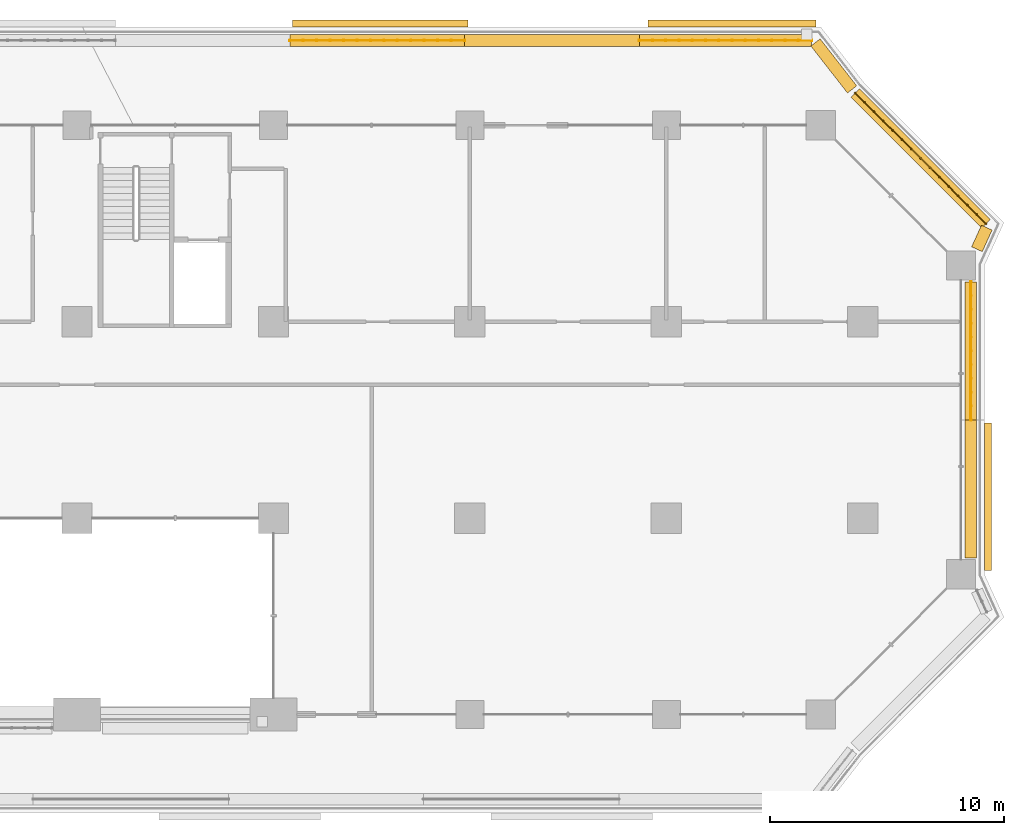
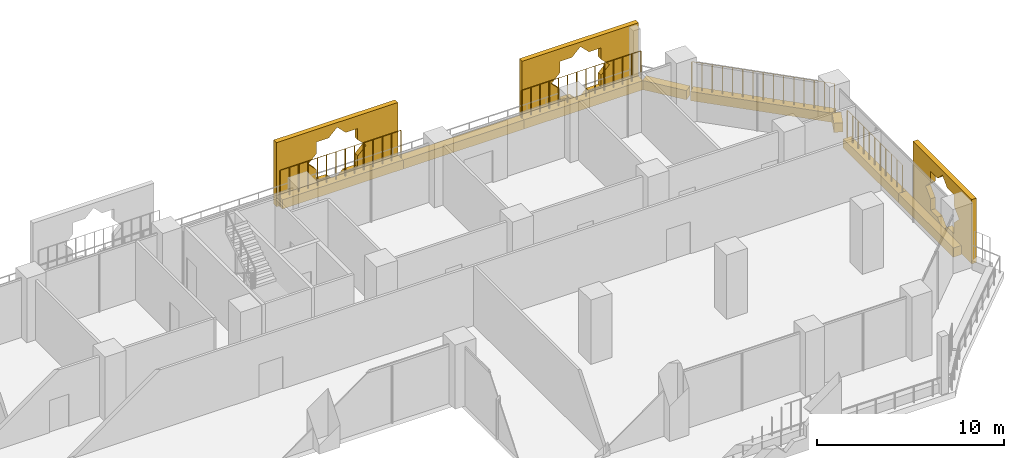
# One storey, part 27 of 27: 11 coverings, 4 railings.
"""IFC4 building model written with IfcOpenShell, lengths in metres."""

from ifc_helpers import new_model, si_unit, direction, frame, origin, origin_2d, place, context, subcontext, project, spatial, polyline, rectangle, circle, outline, extrude, material, material_profile, profile_set, type_object, element, save


model = new_model("IFC4")

# Units and contexts
model_context = context("Model", 3, precision=1e-05, world=origin(), true_north=direction((0.0, 1.0)))
body_context = subcontext(model_context, "Body", "Model", "MODEL_VIEW")
ifc_project = project(units=[si_unit("LENGTHUNIT", "METRE"), si_unit("AREAUNIT", "SQUARE_METRE"), si_unit("VOLUMEUNIT", "CUBIC_METRE"), si_unit("PLANEANGLEUNIT", "RADIAN"), si_unit("MASSUNIT", "GRAM", prefix="KILO")], contexts=[model_context])

# Site, building, storey
site_placement = place(None, origin())
site = spatial("IfcSite", under=ifc_project, at=site_placement, CompositionType="ELEMENT")
building_placement = place(site_placement, origin())
building = spatial("IfcBuilding", under=site, at=building_placement, Name="Kawkab Arch Medical Tower", CompositionType="ELEMENT")
storey_placement = place(building_placement, frame((0.0, 0.0, 43.39990234375)))
storey = spatial("IfcBuildingStorey", under=building, at=storey_placement, Name="L09", CompositionType="ELEMENT", Elevation=43.39990234375)

# Coverings
ifc_material_1 = material(Name="Bronze anodised aluminium mashrabiya panel, eight-point star pattern", Category="aluminium")
ifc_material_profile_1 = material_profile(ifc_material_1, outline(polyline([(-3.14990234375, -2.10009765625), (3.14990234375, -2.10009765625), (3.14990234375, 2.10009765625), (-3.14990234375, 2.10009765625), (-3.14990234375, -2.10009765625)]), holes=[polyline([(1.800048828125, 0.0), (1.272705078125, 0.527099609375), (1.272705078125, 1.272705078125), (0.527099609375, 1.272705078125), (0.0, 1.800048828125), (-0.527099609375, 1.272705078125), (-1.272705078125, 1.272705078125), (-1.272705078125, 0.527099609375), (-1.800048828125, 0.0), (-1.272705078125, -0.527099609375), (-1.272705078125, -1.272705078125), (-0.527099609375, -1.272705078125), (0.0, -1.800048828125), (0.527099609375, -1.272705078125), (1.272705078125, -1.272705078125), (1.272705078125, -0.527099609375), (1.800048828125, 0.0)])]), Name="Mashrabiya panel 6300x4200")
ifc_profile_set_1 = profile_set([ifc_material_profile_1], Name="Bronze anodised aluminium mashrabiya panel, eight-point star pattern")
covering_type_1 = type_object("IfcCoveringType", Name="Mashrabiya panel 6300 x 4200", PredefinedType="USERDEFINED", material=ifc_profile_set_1)
covering_1_placement = place(storey_placement, frame((80.800048828125, -15.881103515625, 1.7001953125), z_axis=(1.0, 0.0, 0.0), x_axis=(0.0, 1.0, 0.0)))
element("IfcCovering", 1, at=covering_1_placement, inside=storey, type_object=covering_type_1, Name="Mashrabiya panel L09.LOG-01-02.11", ObjectType="SCREEN", PredefinedType="USERDEFINED", context=body_context, shape_type="SweptSolid", body=[
    extrude(outline(polyline([(-3.14990234375, -2.10009765625), (3.14990234375, -2.10009765625), (3.14990234375, 2.10009765625), (-3.14990234375, 2.10009765625), (-3.14990234375, -2.10009765625)]), holes=[polyline([(1.800048828125, 0.0), (1.272705078125, 0.527099609375), (1.272705078125, 1.272705078125), (0.527099609375, 1.272705078125), (0.0, 1.800048828125), (-0.527099609375, 1.272705078125), (-1.272705078125, 1.272705078125), (-1.272705078125, 0.527099609375), (-1.800048828125, 0.0), (-1.272705078125, -0.527099609375), (-1.272705078125, -1.272705078125), (-0.527099609375, -1.272705078125), (0.0, -1.800048828125), (0.527099609375, -1.272705078125), (1.272705078125, -1.272705078125), (1.272705078125, -0.527099609375), (1.800048828125, 0.0)])]), origin(), (0.0, 0.0, 1.0), 0.300048828125),
])
ifc_material_2 = material(Name="Bronze anodised aluminium mashrabiya panel, eight-point star pattern", Category="aluminium")
ifc_material_profile_2 = material_profile(ifc_material_2, outline(polyline([(-3.60009765625, -2.10009765625), (3.60009765625, -2.10009765625), (3.60009765625, 2.10009765625), (-3.60009765625, 2.10009765625), (-3.60009765625, -2.10009765625)]), holes=[polyline([(1.800048828125, 0.0), (1.272705078125, 0.527099609375), (1.272705078125, 1.272705078125), (0.527099609375, 1.272705078125), (0.0, 1.800048828125), (-0.527099609375, 1.272705078125), (-1.272705078125, 1.272705078125), (-1.272705078125, 0.527099609375), (-1.800048828125, 0.0), (-1.272705078125, -0.527099609375), (-1.272705078125, -1.272705078125), (-0.527099609375, -1.272705078125), (0.0, -1.800048828125), (0.527099609375, -1.272705078125), (1.272705078125, -1.272705078125), (1.272705078125, -0.527099609375), (1.800048828125, 0.0)])]), Name="Mashrabiya panel 7200x4200")
ifc_profile_set_2 = profile_set([ifc_material_profile_2], Name="Bronze anodised aluminium mashrabiya panel, eight-point star pattern")
covering_type_2 = type_object("IfcCoveringType", Name="Mashrabiya panel 7200 x 4200", PredefinedType="USERDEFINED", material=ifc_profile_set_2)
covering_2_placement = place(storey_placement, frame((70.009033203125, 4.199951171875, 1.7001953125), z_axis=(0.0, 1.0, 0.0), x_axis=(-1.0, 0.0, 0.0)))
element("IfcCovering", 2, at=covering_2_placement, inside=storey, type_object=covering_type_2, Name="Mashrabiya panel L09.LOG-01-02.10", ObjectType="SCREEN", PredefinedType="USERDEFINED", context=body_context, shape_type="SweptSolid", body=[
    extrude(outline(polyline([(-3.60009765625, -2.10009765625), (3.60009765625, -2.10009765625), (3.60009765625, 2.10009765625), (-3.60009765625, 2.10009765625), (-3.60009765625, -2.10009765625)]), holes=[polyline([(1.800048828125, 0.0), (1.272705078125, 0.527099609375), (1.272705078125, 1.272705078125), (0.527099609375, 1.272705078125), (0.0, 1.800048828125), (-0.527099609375, 1.272705078125), (-1.272705078125, 1.272705078125), (-1.272705078125, 0.527099609375), (-1.800048828125, 0.0), (-1.272705078125, -0.527099609375), (-1.272705078125, -1.272705078125), (-0.527099609375, -1.272705078125), (0.0, -1.800048828125), (0.527099609375, -1.272705078125), (1.272705078125, -1.272705078125), (1.272705078125, -0.527099609375), (1.800048828125, 0.0)])]), origin(), (0.0, 0.0, 1.0), 0.300048828125),
])
ifc_material_3 = material(Name="Bronze anodised aluminium mashrabiya panel, eight-point star pattern", Category="aluminium")
ifc_material_profile_3 = material_profile(ifc_material_3, outline(polyline([(-3.75, -2.10009765625), (3.75, -2.10009765625), (3.75, 2.10009765625), (-3.75, 2.10009765625), (-3.75, -2.10009765625)]), holes=[polyline([(1.800048828125, 0.0), (1.272705078125, 0.527099609375), (1.272705078125, 1.272705078125), (0.527099609375, 1.272705078125), (0.0, 1.800048828125), (-0.527099609375, 1.272705078125), (-1.272705078125, 1.272705078125), (-1.272705078125, 0.527099609375), (-1.800048828125, 0.0), (-1.272705078125, -0.527099609375), (-1.272705078125, -1.272705078125), (-0.527099609375, -1.272705078125), (0.0, -1.800048828125), (0.527099609375, -1.272705078125), (1.272705078125, -1.272705078125), (1.272705078125, -0.527099609375), (1.800048828125, 0.0)])]), Name="Mashrabiya panel 7500x4200")
ifc_profile_set_3 = profile_set([ifc_material_profile_3], Name="Bronze anodised aluminium mashrabiya panel, eight-point star pattern")
covering_type_3 = type_object("IfcCoveringType", Name="Mashrabiya panel 7500 x 4200", PredefinedType="USERDEFINED", material=ifc_profile_set_3)
covering_3_placement = place(storey_placement, frame((54.964599609375, 4.199951171875, 1.7001953125), z_axis=(0.0, 1.0, 0.0), x_axis=(-1.0, 0.0, 0.0)))
element("IfcCovering", 3, at=covering_3_placement, inside=storey, type_object=covering_type_3, Name="Mashrabiya panel L09.LOG-01-02.9", ObjectType="SCREEN", PredefinedType="USERDEFINED", context=body_context, shape_type="SweptSolid", body=[
    extrude(outline(polyline([(-3.75, -2.10009765625), (3.75, -2.10009765625), (3.75, 2.10009765625), (-3.75, 2.10009765625), (-3.75, -2.10009765625)]), holes=[polyline([(1.800048828125, 0.0), (1.272705078125, 0.527099609375), (1.272705078125, 1.272705078125), (0.527099609375, 1.272705078125), (0.0, 1.800048828125), (-0.527099609375, 1.272705078125), (-1.272705078125, 1.272705078125), (-1.272705078125, 0.527099609375), (-1.800048828125, 0.0), (-1.272705078125, -0.527099609375), (-1.272705078125, -1.272705078125), (-0.527099609375, -1.272705078125), (0.0, -1.800048828125), (0.527099609375, -1.272705078125), (1.272705078125, -1.272705078125), (1.272705078125, -0.527099609375), (1.800048828125, 0.0)])]), origin(), (0.0, 0.0, 1.0), 0.300048828125),
])
ifc_material_4 = material(Name="Planting soil in a precast trough", Category="concrete")
ifc_material_profile_4 = material_profile(ifc_material_4, rectangle(XDim=0.5, YDim=0.60009765625, at=origin_2d()), Name="Trough 500x600")
ifc_profile_set_4 = profile_set([ifc_material_profile_4], Name="Planting soil in a precast trough")
covering_type_4 = type_object("IfcCoveringType", Name="Planter trough 500 x 600", PredefinedType="USERDEFINED", material=ifc_profile_set_4)
covering_4_placement = place(storey_placement, frame((51.10498046875, 3.6201171875, 0.300048828125), z_axis=(1.0, 0.0, 0.0), x_axis=(0.0, 1.0, 0.0)))
element("IfcCovering", 4, at=covering_4_placement, inside=storey, type_object=covering_type_4, Name="Planter L09.LOG-01-02.31", ObjectType="PLANTER", PredefinedType="USERDEFINED", context=body_context, shape_type="SweptSolid", body=[
    extrude(rectangle(XDim=0.5, YDim=0.60009765625, at=origin_2d()), origin(), (0.0, 0.0, 1.0), 7.470947265625),
])
covering_5_placement = place(storey_placement, frame((58.575927734375, 3.6201171875, 0.300048828125), z_axis=(1.0, 0.0, 0.0), x_axis=(0.0, 1.0, 0.0)))
element("IfcCovering", 5, at=covering_5_placement, inside=storey, type_object=covering_type_4, Name="Planter L09.LOG-01-02.32", ObjectType="PLANTER", PredefinedType="USERDEFINED", context=body_context, shape_type="SweptSolid", body=[
    extrude(rectangle(XDim=0.5, YDim=0.60009765625, at=origin_2d()), origin(), (0.0, 0.0, 1.0), 7.469970703125),
])
covering_6_placement = place(storey_placement, frame((66.0458984375, 3.6201171875, 0.300048828125), z_axis=(1.0, 0.0, 0.0), x_axis=(0.0, 1.0, 0.0)))
element("IfcCovering", 6, at=covering_6_placement, inside=storey, type_object=covering_type_4, Name="Planter L09.LOG-01-02.33", ObjectType="PLANTER", PredefinedType="USERDEFINED", context=body_context, shape_type="SweptSolid", body=[
    extrude(rectangle(XDim=0.5, YDim=0.60009765625, at=origin_2d()), origin(), (0.0, 0.0, 1.0), 7.3701171875),
])
covering_7_placement = place(storey_placement, frame((73.577880859375, 3.541015625, 0.300048828125), z_axis=(0.614099956103, -0.789228258436, 0.0), x_axis=(0.789228258436, 0.614099956103, 0.0)))
element("IfcCovering", 7, at=covering_7_placement, inside=storey, type_object=covering_type_4, Name="Planter L09.LOG-01-02.34", ObjectType="PLANTER", PredefinedType="USERDEFINED", context=body_context, shape_type="SweptSolid", body=[
    extrude(rectangle(XDim=0.5, YDim=0.60009765625, at=origin_2d()), origin(), (0.0, 0.0, 1.0), 2.545654296875),
])
covering_8_placement = place(storey_placement, frame((75.27294921875, 1.383056640625, 0.300048828125), z_axis=(0.707106781187, -0.707106781187, 0.0), x_axis=(0.707106781187, 0.707106781187, 0.0)))
element("IfcCovering", 8, at=covering_8_placement, inside=storey, type_object=covering_type_4, Name="Planter L09.LOG-01-02.35", ObjectType="PLANTER", PredefinedType="USERDEFINED", context=body_context, shape_type="SweptSolid", body=[
    extrude(rectangle(XDim=0.5, YDim=0.60009765625, at=origin_2d()), origin(), (0.0, 0.0, 1.0), 7.919677734375),
])
covering_9_placement = place(storey_placement, frame((80.902099609375, -4.37890625, 0.300048828125), z_axis=(-0.415071571878, -0.909788761317, 0.0), x_axis=(0.909788761317, -0.415071571878, 0.0)))
element("IfcCovering", 9, at=covering_9_placement, inside=storey, type_object=covering_type_4, Name="Planter L09.LOG-01-02.36", ObjectType="PLANTER", PredefinedType="USERDEFINED", context=body_context, shape_type="SweptSolid", body=[
    extrude(rectangle(XDim=0.5, YDim=0.60009765625, at=origin_2d()), origin(), (0.0, 0.0, 1.0), 1.0146484375),
])
for number, where, z_axis, x_axis, name in (
    (10, (80.219970703125, -6.705078125, 0.300048828125), (0.0, -1.0, 0.0), (1.0, 0.0, 0.0), "Planter L09.LOG-01-02.37"),
    (11, (80.219970703125, -12.60009765625, 0.300048828125), (0.0, -1.0, 0.0), (1.0, 0.0, 0.0), "Planter L09.LOG-01-02.38"),
):
    element("IfcCovering", number, at=place(storey_placement, frame(where, z_axis=z_axis, x_axis=x_axis)), inside=storey, type_object=covering_type_4, Name=name, ObjectType="PLANTER", PredefinedType="USERDEFINED", context=body_context, shape_type="SweptSolid", body=[
        extrude(rectangle(XDim=0.5, YDim=0.60009765625, at=origin_2d()), origin(), (0.0, 0.0, 1.0), 5.89501953125),
    ])

# Railings
ifc_material_5 = material(Name="Bronze anodised aluminium trellis for climbing plants", Category="aluminium")
railing_type = type_object("IfcRailingType", Name="Planting trellis 2400", PredefinedType="USERDEFINED", material=ifc_material_5)
railing_1_placement = place(storey_placement, frame((51.10498046875, 3.6201171875, 0.0)))
element("IfcRailing", 12, at=railing_1_placement, inside=storey, type_object=railing_type, Name="Planting trellis L09.LOG-01-02.31", ObjectType="TRELLIS", PredefinedType="USERDEFINED", context=body_context, shape_type="SweptSolid", body=[
    extrude(circle(Radius=0.01513671875, at=origin_2d()), frame((0.0, 0.0, 2.384765625), z_axis=(1.0, 0.0, 0.0), x_axis=(0.0, 1.0, 0.0)), (0.0, 0.0, 1.0), 7.470947265625),
    extrude(circle(Radius=0.030029296875, at=origin_2d()), origin(), (0.0, 0.0, 1.0), 2.369873046875),
    extrude(circle(Radius=0.030029296875, at=origin_2d()), frame((0.57470703125, 0.0, 0.0)), (0.0, 0.0, 1.0), 2.369873046875),
    extrude(circle(Radius=0.030029296875, at=origin_2d()), frame((1.1494140625, 0.0, 0.0)), (0.0, 0.0, 1.0), 2.369873046875),
    extrude(circle(Radius=0.030029296875, at=origin_2d()), frame((1.72412109375, 0.0, 0.0)), (0.0, 0.0, 1.0), 2.369873046875),
    extrude(circle(Radius=0.030029296875, at=origin_2d()), frame((2.298828125, 0.0, 0.0)), (0.0, 0.0, 1.0), 2.369873046875),
    extrude(circle(Radius=0.030029296875, at=origin_2d()), frame((2.87353515625, 0.0, 0.0)), (0.0, 0.0, 1.0), 2.369873046875),
    extrude(circle(Radius=0.030029296875, at=origin_2d()), frame((3.4482421875, 0.0, 0.0)), (0.0, 0.0, 1.0), 2.369873046875),
    extrude(circle(Radius=0.030029296875, at=origin_2d()), frame((4.022705078125, 0.0, 0.0)), (0.0, 0.0, 1.0), 2.369873046875),
    extrude(circle(Radius=0.030029296875, at=origin_2d()), frame((4.597412109375, 0.0, 0.0)), (0.0, 0.0, 1.0), 2.369873046875),
    extrude(circle(Radius=0.030029296875, at=origin_2d()), frame((5.172119140625, 0.0, 0.0)), (0.0, 0.0, 1.0), 2.369873046875),
    extrude(circle(Radius=0.030029296875, at=origin_2d()), frame((5.746826171875, 0.0, 0.0)), (0.0, 0.0, 1.0), 2.369873046875),
    extrude(circle(Radius=0.030029296875, at=origin_2d()), frame((6.321533203125, 0.0, 0.0)), (0.0, 0.0, 1.0), 2.369873046875),
    extrude(circle(Radius=0.030029296875, at=origin_2d()), frame((6.896240234375, 0.0, 0.0)), (0.0, 0.0, 1.0), 2.369873046875),
    extrude(circle(Radius=0.030029296875, at=origin_2d()), frame((7.470947265625, 0.0, 0.0)), (0.0, 0.0, 1.0), 2.369873046875),
])
railing_2_placement = place(storey_placement, frame((66.0458984375, 3.6201171875, 0.0)))
element("IfcRailing", 13, at=railing_2_placement, inside=storey, type_object=railing_type, Name="Planting trellis L09.LOG-01-02.33", ObjectType="TRELLIS", PredefinedType="USERDEFINED", context=body_context, shape_type="SweptSolid", body=[
    extrude(circle(Radius=0.01513671875, at=origin_2d()), frame((0.0, 0.0, 2.384765625), z_axis=(1.0, 0.0, 0.0), x_axis=(0.0, 1.0, 0.0)), (0.0, 0.0, 1.0), 7.3701171875),
    extrude(circle(Radius=0.030029296875, at=origin_2d()), origin(), (0.0, 0.0, 1.0), 2.369873046875),
    extrude(circle(Radius=0.030029296875, at=origin_2d()), frame((0.56689453125, 0.0, 0.0)), (0.0, 0.0, 1.0), 2.369873046875),
    extrude(circle(Radius=0.030029296875, at=origin_2d()), frame((1.1337890625, 0.0, 0.0)), (0.0, 0.0, 1.0), 2.369873046875),
    extrude(circle(Radius=0.030029296875, at=origin_2d()), frame((1.70068359375, 0.0, 0.0)), (0.0, 0.0, 1.0), 2.369873046875),
    extrude(circle(Radius=0.030029296875, at=origin_2d()), frame((2.267822265625, 0.0, 0.0)), (0.0, 0.0, 1.0), 2.369873046875),
    extrude(circle(Radius=0.030029296875, at=origin_2d()), frame((2.834716796875, 0.0, 0.0)), (0.0, 0.0, 1.0), 2.369873046875),
    extrude(circle(Radius=0.030029296875, at=origin_2d()), frame((3.401611328125, 0.0, 0.0)), (0.0, 0.0, 1.0), 2.369873046875),
    extrude(circle(Radius=0.030029296875, at=origin_2d()), frame((3.968505859375, 0.0, 0.0)), (0.0, 0.0, 1.0), 2.369873046875),
    extrude(circle(Radius=0.030029296875, at=origin_2d()), frame((4.535400390625, 0.0, 0.0)), (0.0, 0.0, 1.0), 2.369873046875),
    extrude(circle(Radius=0.030029296875, at=origin_2d()), frame((5.102294921875, 0.0, 0.0)), (0.0, 0.0, 1.0), 2.369873046875),
    extrude(circle(Radius=0.030029296875, at=origin_2d()), frame((5.66943359375, 0.0, 0.0)), (0.0, 0.0, 1.0), 2.369873046875),
    extrude(circle(Radius=0.030029296875, at=origin_2d()), frame((6.236328125, 0.0, 0.0)), (0.0, 0.0, 1.0), 2.369873046875),
    extrude(circle(Radius=0.030029296875, at=origin_2d()), frame((6.80322265625, 0.0, 0.0)), (0.0, 0.0, 1.0), 2.369873046875),
    extrude(circle(Radius=0.030029296875, at=origin_2d()), frame((7.3701171875, 0.0, 0.0)), (0.0, 0.0, 1.0), 2.369873046875),
])
railing_3_placement = place(storey_placement, frame((75.27294921875, 1.383056640625, 0.0)))
element("IfcRailing", 14, at=railing_3_placement, inside=storey, type_object=railing_type, Name="Planting trellis L09.LOG-01-02.35", ObjectType="TRELLIS", PredefinedType="USERDEFINED", context=body_context, shape_type="SweptSolid", body=[
    extrude(circle(Radius=0.01513671875, at=origin_2d()), frame((0.0, 0.0, 2.384765625), z_axis=(0.707106781187, -0.707106781187, 0.0), x_axis=(0.707106781187, 0.707106781187, 0.0)), (0.0, 0.0, 1.0), 7.919677734375),
    extrude(circle(Radius=0.030029296875, at=origin_2d()), origin(), (0.0, 0.0, 1.0), 2.369873046875),
    extrude(circle(Radius=0.030029296875, at=origin_2d()), frame((0.39990234375, -0.39990234375, 0.0)), (0.0, 0.0, 1.0), 2.369873046875),
    extrude(circle(Radius=0.030029296875, at=origin_2d()), frame((0.800048828125, -0.800048828125, 0.0)), (0.0, 0.0, 1.0), 2.369873046875),
    extrude(circle(Radius=0.030029296875, at=origin_2d()), frame((1.199951171875, -1.199951171875, 0.0)), (0.0, 0.0, 1.0), 2.369873046875),
    extrude(circle(Radius=0.030029296875, at=origin_2d()), frame((1.60009765625, -1.60009765625, 0.0)), (0.0, 0.0, 1.0), 2.369873046875),
    extrude(circle(Radius=0.030029296875, at=origin_2d()), frame((2.0, -2.0, 0.0)), (0.0, 0.0, 1.0), 2.369873046875),
    extrude(circle(Radius=0.030029296875, at=origin_2d()), frame((2.400146484375, -2.400146484375, 0.0)), (0.0, 0.0, 1.0), 2.369873046875),
    extrude(circle(Radius=0.030029296875, at=origin_2d()), frame((2.800048828125, -2.800048828125, 0.0)), (0.0, 0.0, 1.0), 2.369873046875),
    extrude(circle(Radius=0.030029296875, at=origin_2d()), frame((3.199951171875, -3.199951171875, 0.0)), (0.0, 0.0, 1.0), 2.369873046875),
    extrude(circle(Radius=0.030029296875, at=origin_2d()), frame((3.60009765625, -3.60009765625, 0.0)), (0.0, 0.0, 1.0), 2.369873046875),
    extrude(circle(Radius=0.030029296875, at=origin_2d()), frame((4.0, -4.0, 0.0)), (0.0, 0.0, 1.0), 2.369873046875),
    extrude(circle(Radius=0.030029296875, at=origin_2d()), frame((4.400146484375, -4.400146484375, 0.0)), (0.0, 0.0, 1.0), 2.369873046875),
    extrude(circle(Radius=0.030029296875, at=origin_2d()), frame((4.800048828125, -4.800048828125, 0.0)), (0.0, 0.0, 1.0), 2.369873046875),
    extrude(circle(Radius=0.030029296875, at=origin_2d()), frame((5.2001953125, -5.2001953125, 0.0)), (0.0, 0.0, 1.0), 2.369873046875),
    extrude(circle(Radius=0.030029296875, at=origin_2d()), frame((5.60009765625, -5.60009765625, 0.0)), (0.0, 0.0, 1.0), 2.369873046875),
])
railing_4_placement = place(storey_placement, frame((80.219970703125, -6.705078125, 0.0)))
element("IfcRailing", 15, at=railing_4_placement, inside=storey, type_object=railing_type, Name="Planting trellis L09.LOG-01-02.37", ObjectType="TRELLIS", PredefinedType="USERDEFINED", context=body_context, shape_type="SweptSolid", body=[
    extrude(circle(Radius=0.01513671875, at=origin_2d()), frame((0.0, 0.0, 2.384765625), z_axis=(0.0, -1.0, 0.0), x_axis=(1.0, 0.0, 0.0)), (0.0, 0.0, 1.0), 5.89501953125),
    extrude(circle(Radius=0.030029296875, at=origin_2d()), origin(), (0.0, 0.0, 1.0), 2.369873046875),
    extrude(circle(Radius=0.030029296875, at=origin_2d()), frame((0.0, -0.589599609375, 0.0)), (0.0, 0.0, 1.0), 2.369873046875),
    extrude(circle(Radius=0.030029296875, at=origin_2d()), frame((0.0, -1.178955078125, 0.0)), (0.0, 0.0, 1.0), 2.369873046875),
    extrude(circle(Radius=0.030029296875, at=origin_2d()), frame((0.0, -1.7685546875, 0.0)), (0.0, 0.0, 1.0), 2.369873046875),
    extrude(circle(Radius=0.030029296875, at=origin_2d()), frame((0.0, -2.35791015625, 0.0)), (0.0, 0.0, 1.0), 2.369873046875),
    extrude(circle(Radius=0.030029296875, at=origin_2d()), frame((0.0, -2.947509765625, 0.0)), (0.0, 0.0, 1.0), 2.369873046875),
    extrude(circle(Radius=0.030029296875, at=origin_2d()), frame((0.0, -3.537109375, 0.0)), (0.0, 0.0, 1.0), 2.369873046875),
    extrude(circle(Radius=0.030029296875, at=origin_2d()), frame((0.0, -4.12646484375, 0.0)), (0.0, 0.0, 1.0), 2.369873046875),
    extrude(circle(Radius=0.030029296875, at=origin_2d()), frame((0.0, -4.716064453125, 0.0)), (0.0, 0.0, 1.0), 2.369873046875),
    extrude(circle(Radius=0.030029296875, at=origin_2d()), frame((0.0, -5.305419921875, 0.0)), (0.0, 0.0, 1.0), 2.369873046875),
    extrude(circle(Radius=0.030029296875, at=origin_2d()), frame((0.0, -5.89501953125, 0.0)), (0.0, 0.0, 1.0), 2.369873046875),
])

save(model, "model.ifc")
